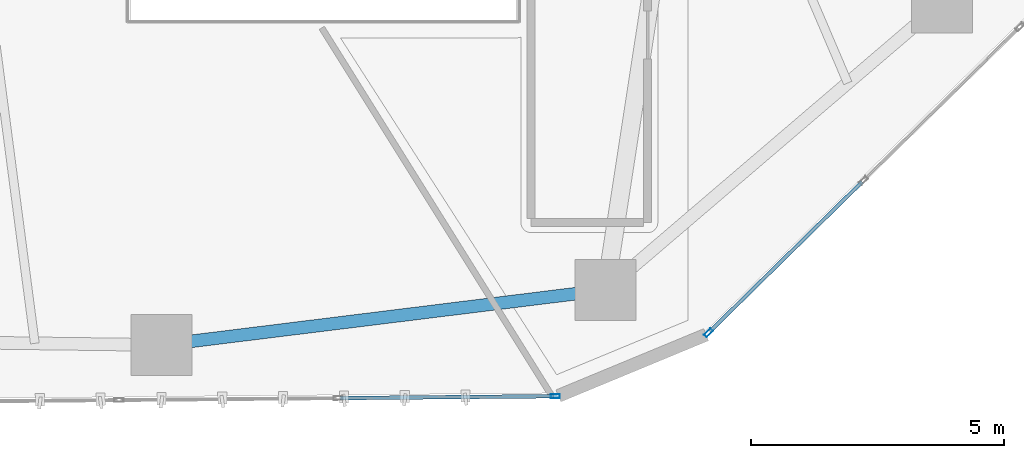
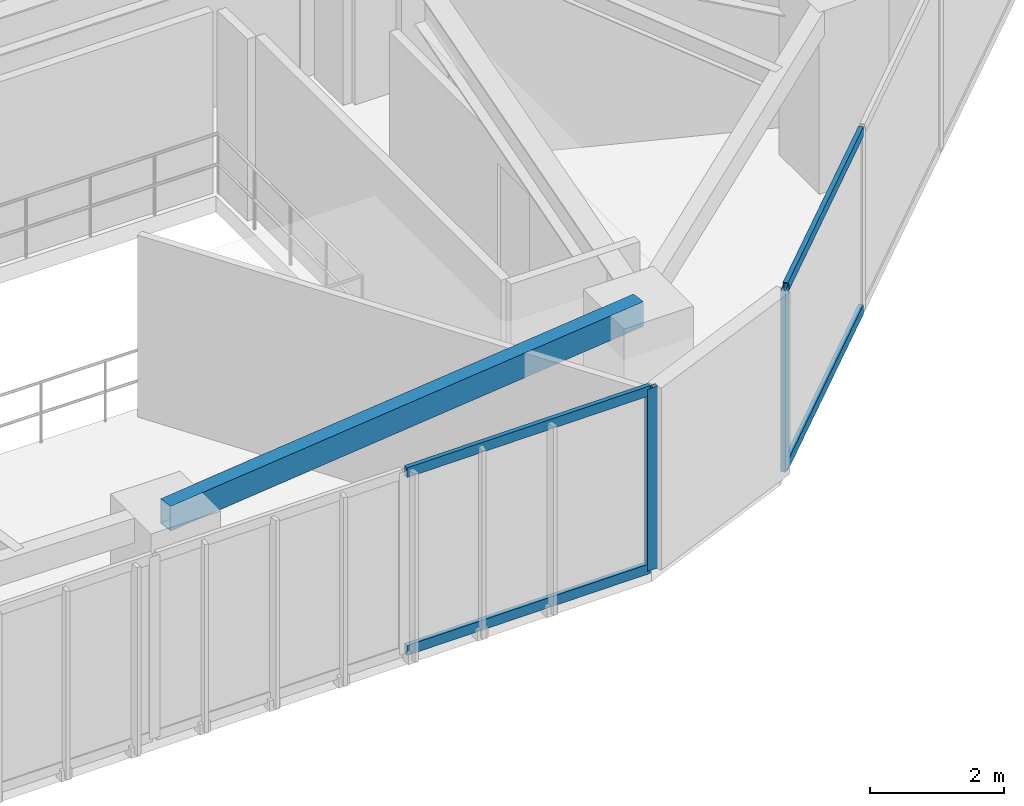
# One storey, part 6 of 21: 6 members, 1 beam, 2 elements without a shape of their own.
"""IFC4 building model written with IfcOpenShell, lengths in metres."""

from ifc_helpers import new_model, si_unit, direction, frame, origin, origin_2d, place, context, subcontext, project, spatial, hollow_rectangle, extrude, source, transform, mapped, material, layer, layer_set, material_profile, profile_set, type_object, type_shapes, element, aggregate, save


model = new_model("IFC4")

# Units and contexts
model_context = context("Model", 3, precision=1e-05, world=origin(), true_north=direction((0.0, 1.0)))
body_context = subcontext(model_context, "Body", "Model", "MODEL_VIEW")
ifc_project = project(units=[si_unit("LENGTHUNIT", "METRE"), si_unit("AREAUNIT", "SQUARE_METRE"), si_unit("VOLUMEUNIT", "CUBIC_METRE"), si_unit("PLANEANGLEUNIT", "RADIAN"), si_unit("MASSUNIT", "GRAM", prefix="KILO")], contexts=[model_context])

# Site, building, storey
site_placement = place(None, origin())
site = spatial("IfcSite", under=ifc_project, at=site_placement, CompositionType="ELEMENT")
building_placement = place(site_placement, origin())
building = spatial("IfcBuilding", under=site, at=building_placement, Name="Talar Marvaseh", CompositionType="ELEMENT")
storey_placement = place(building_placement, frame((0.0, 0.0, 93.0)))
storey = spatial("IfcBuildingStorey", under=building, at=storey_placement, Name="L23", CompositionType="ELEMENT", Elevation=93.0)

# Beam
ifc_material_1 = material(Name="Steel S355", Category="steel")
ifc_material_profile_1 = material_profile(ifc_material_1, hollow_rectangle(XDim=0.25, YDim=0.449951171875, WallThickness=0.01611328125, at=origin_2d()), Name="RHS450x250x16")
ifc_profile_set_1 = profile_set([ifc_material_profile_1], Name="Steel S355")
beam_type = type_object("IfcBeamType", Name="Zone 2 Perimeter Spandrel Beam RHS450x250x16", PredefinedType="SPANDREL", material=ifc_profile_set_1)
beam_placement = place(storey_placement, frame((31.570068359375, 14.26806640625, 3.0849609375), z_axis=(-0.992426007218, -0.122843885468, 0.0), x_axis=(0.122843885468, -0.992426007218, 0.0)))
element("IfcBeam", 1, at=beam_placement, inside=storey, type_object=beam_type, Name="L23 Zone 2 Perimeter Spandrel Beam RHS450x250x16", PredefinedType="SPANDREL", context=body_context, shape_type="SweptSolid", body=[
    extrude(hollow_rectangle(XDim=0.25, YDim=0.449951171875, WallThickness=0.01611328125, at=origin_2d()), origin(), (0.0, 0.0, 1.0), 8.83203125),
])

# Curtain wall, member
ifc_material_2 = material(Name="Architectural Aluminium", Category="aluminium")
ifc_layer = layer(ifc_material_2, 0.199951171875)
ifc_layer_set = layer_set([ifc_layer], Name="Architectural Aluminium")
curtain_wall_type = type_object("IfcCurtainWallType", Name="Unitised Acoustic Library Curtain Wall Z2", PredefinedType="NOTDEFINED", material=ifc_layer_set)
curtain_wall_1_placement = place(storey_placement, origin())
curtain_wall_1 = element("IfcCurtainWall", 2, at=curtain_wall_1_placement, inside=storey, type_object=curtain_wall_type, Name="L23 Unitised Acoustic Library Curtain Wall Z2", PredefinedType="NOTDEFINED")
ifc_material_profile_2 = material_profile(ifc_material_2, hollow_rectangle(XDim=0.074951171875, YDim=0.179931640625, WallThickness=0.0048828125, at=origin_2d()), Name="RHS180x75x5")
ifc_profile_set_2 = profile_set([ifc_material_profile_2], Name="Architectural Aluminium")
member_type_1 = type_object("IfcMemberType", Name="Unitised Curtain Wall Standard Mullion RHS180x75x5", PredefinedType="MULLION", material=ifc_profile_set_2)
shared_shape_1 = source(origin(), body_context, "Body", "SweptSolid", [
    extrude(hollow_rectangle(XDim=0.074951171875, YDim=0.179931640625, WallThickness=0.0048828125, at=origin_2d()), origin(), (0.0, 0.0, 1.0), 3.31005859375),
])
type_shapes(member_type_1, [shared_shape_1])
member_1_placement = place(storey_placement, frame((33.599609375, 13.424560546875, 0.0), z_axis=(0.0, 0.0, 1.0), x_axis=(0.700796979423, -0.713360773825, 0.0)))
member_1 = element("IfcMember", 3, at=member_1_placement, type_object=member_type_1, Name="CW-Z2 mullion 6", PredefinedType="MULLION", context=body_context, shape_type="MappedRepresentation", body=[
    mapped(shared_shape_1, transform((0.0, 0.0, 0.0), x_axis=(1.0, 0.0, 0.0), y_axis=(0.0, 1.0, 0.0), z_axis=(0.0, 0.0, 1.0), scale=1.0)),
])

# Curtain wall, members
curtain_wall_2_placement = place(storey_placement, origin())
curtain_wall_2 = element("IfcCurtainWall", 4, at=curtain_wall_2_placement, inside=storey, type_object=curtain_wall_type, Name="L23 Unitised Acoustic Library Curtain Wall Z2", PredefinedType="NOTDEFINED")
member_2_placement = place(storey_placement, frame((30.578857421875, 12.173583984375, 0.0), z_axis=(0.0, 0.0, 1.0), x_axis=(0.008881630353, -0.999960557543, 0.0)))
member_2 = element("IfcMember", 5, at=member_2_placement, type_object=member_type_1, Name="CW-Z2 mullion 1", PredefinedType="MULLION", context=body_context, shape_type="MappedRepresentation", body=[
    mapped(shared_shape_1, transform((0.0, 0.0, 0.0), x_axis=(1.0, 0.0, 0.0), y_axis=(0.0, 1.0, 0.0), z_axis=(0.0, 0.0, 1.0), scale=1.0)),
])
ifc_material_profile_3 = material_profile(ifc_material_2, hollow_rectangle(XDim=0.074951171875, YDim=0.179931640625, WallThickness=0.0048828125, at=origin_2d()), Name="RHS180x75x5")
ifc_profile_set_3 = profile_set([ifc_material_profile_3], Name="Architectural Aluminium")
member_type_2 = type_object("IfcMemberType", Name="Unitised Curtain Wall Transom RHS180x75x5", PredefinedType="USERDEFINED", material=ifc_profile_set_3)
shared_shape_2 = source(origin(), body_context, "Body", "SweptSolid", [
    extrude(hollow_rectangle(XDim=0.074951171875, YDim=0.179931640625, WallThickness=0.0048828125, at=origin_2d()), origin(), (0.0, 0.0, 1.0), 4.211181640625),
])
member_3_placement = place(storey_placement, frame((30.54150390625, 12.173095703125, 0.03759765625), z_axis=(-0.999960658606, -0.00887024471, 0.0), x_axis=(0.00887024471, -0.999960658606, 0.0)))
member_3 = element("IfcMember", 6, at=member_3_placement, type_object=member_type_2, Name="CW-Z2 transom 1.1", ObjectType="TRANSOM", PredefinedType="USERDEFINED", context=body_context, shape_type="MappedRepresentation", body=[
    mapped(shared_shape_2, transform((0.0, 0.0, 0.0), x_axis=(1.0, 0.0, 0.0), y_axis=(0.0, 1.0, 0.0), z_axis=(0.0, 0.0, 1.0), scale=1.0)),
])
member_4_placement = place(storey_placement, frame((30.54150390625, 12.173095703125, 3.2724609375), z_axis=(-0.999960658606, -0.00887024471, 0.0), x_axis=(0.00887024471, -0.999960658606, 0.0)))
member_4 = element("IfcMember", 7, at=member_4_placement, type_object=member_type_2, Name="CW-Z2 transom 1.2", ObjectType="TRANSOM", PredefinedType="USERDEFINED", context=body_context, shape_type="MappedRepresentation", body=[
    mapped(shared_shape_2, transform((0.0, 0.0, 0.0), x_axis=(1.0, 0.0, 0.0), y_axis=(0.0, 1.0, 0.0), z_axis=(0.0, 0.0, 1.0), scale=1.0)),
])
aggregate(curtain_wall_2, [member_2, member_3, member_4])

# Member
shared_shape_3 = source(origin(), body_context, "Body", "SweptSolid", [
    extrude(hollow_rectangle(XDim=0.074951171875, YDim=0.179931640625, WallThickness=0.0048828125, at=origin_2d()), origin(), (0.0, 0.0, 1.0), 4.2109375),
])
type_shapes(member_type_2, [shared_shape_2, shared_shape_3])
member_5_placement = place(storey_placement, frame((36.63037109375, 16.402099609375, 0.03759765625), z_axis=(-0.713340499378, -0.70081761675, 0.0), x_axis=(0.70081761675, -0.713340499378, 0.0)))
member_5 = element("IfcMember", 8, at=member_5_placement, type_object=member_type_2, Name="CW-Z2 transom 5.1", ObjectType="TRANSOM", PredefinedType="USERDEFINED", context=body_context, shape_type="MappedRepresentation", body=[
    mapped(shared_shape_3, transform((0.0, 0.0, 0.0), x_axis=(1.0, 0.0, 0.0), y_axis=(0.0, 1.0, 0.0), z_axis=(0.0, 0.0, 1.0), scale=1.0)),
])

member_6_placement = place(storey_placement, frame((36.63037109375, 16.402099609375, 3.2724609375), z_axis=(-0.713340499378, -0.70081761675, 0.0), x_axis=(0.70081761675, -0.713340499378, 0.0)))
member_6 = element("IfcMember", 9, at=member_6_placement, type_object=member_type_2, Name="CW-Z2 transom 5.2", ObjectType="TRANSOM", PredefinedType="USERDEFINED", context=body_context, shape_type="MappedRepresentation", body=[
    mapped(shared_shape_3, transform((0.0, 0.0, 0.0), x_axis=(1.0, 0.0, 0.0), y_axis=(0.0, 1.0, 0.0), z_axis=(0.0, 0.0, 1.0), scale=1.0)),
])

aggregate(curtain_wall_1, [member_1, member_5, member_6])

save(model, "model.ifc")
